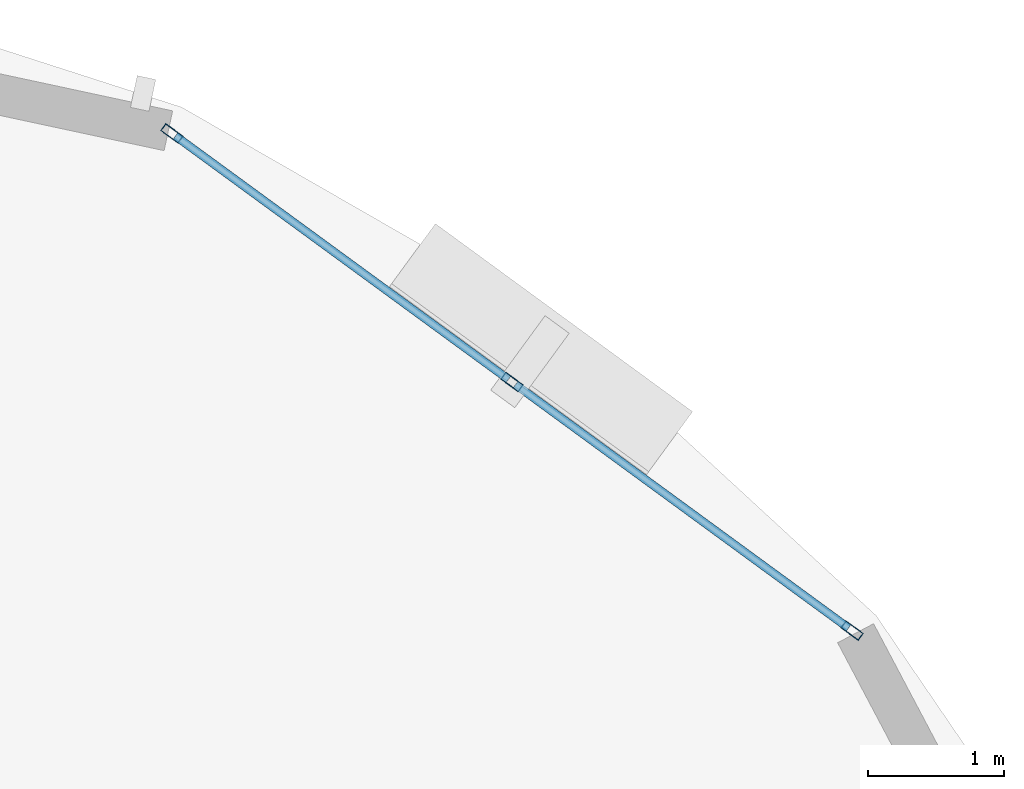
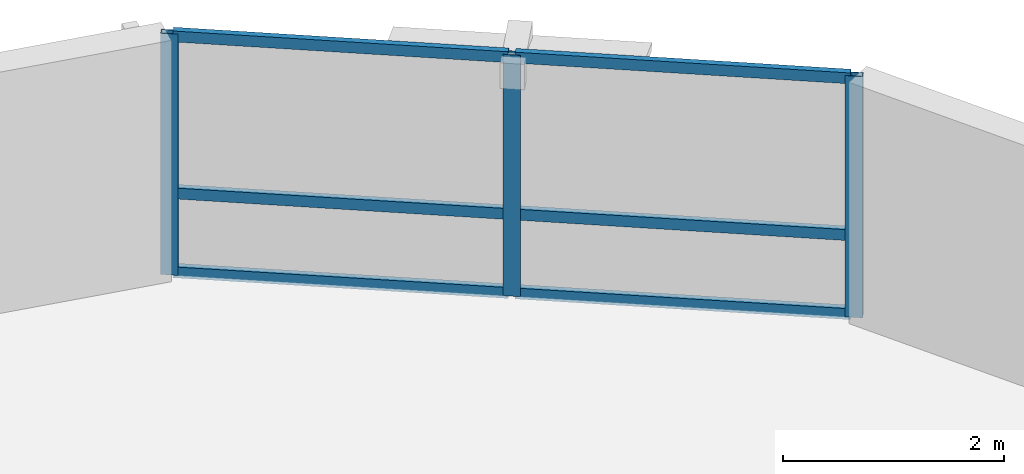
# One storey, part 6 of 12: 9 members, 1 element without a shape of its own.
"""IFC4 building model written with IfcOpenShell, lengths in metres."""

from ifc_helpers import new_model, si_unit, direction, frame, origin, origin_2d, place, context, subcontext, project, spatial, hollow_rectangle, extrude, material, layer, layer_set, material_profile, profile_set, type_object, element, aggregate, save


model = new_model("IFC4")

# Units and contexts
model_context = context("Model", 3, precision=1e-05, world=origin(), true_north=direction((0.0, 1.0)))
body_context = subcontext(model_context, "Body", "Model", "MODEL_VIEW")
ifc_project = project(units=[si_unit("LENGTHUNIT", "METRE"), si_unit("AREAUNIT", "SQUARE_METRE"), si_unit("VOLUMEUNIT", "CUBIC_METRE"), si_unit("PLANEANGLEUNIT", "RADIAN"), si_unit("MASSUNIT", "GRAM", prefix="KILO"), si_unit("THERMODYNAMICTEMPERATUREUNIT", "KELVIN"), si_unit("POWERUNIT", "WATT")], contexts=[model_context])

# Site, building, storey
site_placement = place(None, origin())
site = spatial("IfcSite", under=ifc_project, at=site_placement, CompositionType="ELEMENT")
building_placement = place(site_placement, origin())
building = spatial("IfcBuilding", under=site, at=building_placement, Name="Ocrelia Relay Tower", CompositionType="ELEMENT")
storey_placement = place(building_placement, frame((0.0, 0.0, 202.39990234375)))
storey = spatial("IfcBuildingStorey", under=building, at=storey_placement, Name="L49", CompositionType="ELEMENT", Elevation=202.39990234375)

# Curtain wall, members
ifc_material_1 = material(Name="Aluminium and solar-control low-E glass", Category="aluminium")
ifc_layer = layer(ifc_material_1, 0.179931640625, Name="Aluminium and solar-control low-E glass")
ifc_layer_set = layer_set([ifc_layer], Name="Aluminium and solar-control low-E glass")
curtain_wall_type = type_object("IfcCurtainWallType", Name="CW-SYS-Z3-CLOU", PredefinedType="NOTDEFINED", material=ifc_layer_set)
curtain_wall_placement = place(storey_placement, origin())
curtain_wall = element("IfcCurtainWall", 1, at=curtain_wall_placement, inside=storey, type_object=curtain_wall_type, Name="L49 Elliptical Tower Curtain Wall Bay 01", PredefinedType="NOTDEFINED")
ifc_material_2 = material(Name="Anodised bronze aluminium", Category="aluminium")
ifc_material_profile_1 = material_profile(ifc_material_2, hollow_rectangle(XDim=0.06494140625, YDim=0.159912109375, WallThickness=0.0048828125, at=origin_2d()), Name="CW-MUL-160x65")
ifc_profile_set_1 = profile_set([ifc_material_profile_1], Name="Anodised bronze aluminium")
member_type_1 = type_object("IfcMemberType", Name="CW-SYS-Z3-CLOU-MUL", PredefinedType="MULLION", material=ifc_profile_set_1)
member_1_placement = place(storey_placement, frame((51.674072265625, 41.32470703125, 0.0), z_axis=(0.0, 0.0, 1.0), x_axis=(-0.590180994977, -0.807270953997, 0.0)))
member_1 = element("IfcMember", 2, at=member_1_placement, type_object=member_type_1, Name="CW-Z3 mullion 1", PredefinedType="MULLION", context=body_context, shape_type="SweptSolid", body=[
    extrude(hollow_rectangle(XDim=0.06494140625, YDim=0.159912109375, WallThickness=0.0048828125, at=origin_2d()), origin(), (0.0, 0.0, 1.0), 2.66015625),
])
member_2_placement = place(storey_placement, frame((49.164306640625, 43.159423828125, 0.0), z_axis=(0.0, 0.0, 1.0), x_axis=(-0.590180994977, -0.807270953997, 0.0)))
member_2 = element("IfcMember", 3, at=member_2_placement, type_object=member_type_1, Name="CW-Z3 mullion 2", PredefinedType="MULLION", context=body_context, shape_type="SweptSolid", body=[
    extrude(hollow_rectangle(XDim=0.06494140625, YDim=0.159912109375, WallThickness=0.0048828125, at=origin_2d()), origin(), (0.0, 0.0, 1.0), 2.66015625),
])
member_3_placement = place(storey_placement, frame((46.65478515625, 44.994140625, 0.0), z_axis=(0.0, 0.0, 1.0), x_axis=(-0.590180994977, -0.807270953997, 0.0)))
member_3 = element("IfcMember", 4, at=member_3_placement, type_object=member_type_1, Name="CW-Z3 mullion 3", PredefinedType="MULLION", context=body_context, shape_type="SweptSolid", body=[
    extrude(hollow_rectangle(XDim=0.06494140625, YDim=0.159912109375, WallThickness=0.0048828125, at=origin_2d()), origin(), (0.0, 0.0, 1.0), 2.66015625),
])
ifc_material_profile_2 = material_profile(ifc_material_2, hollow_rectangle(XDim=0.06005859375, YDim=0.1201171875, WallThickness=0.0048828125, at=origin_2d()), Name="CW-TRN-120x60")
ifc_profile_set_2 = profile_set([ifc_material_profile_2], Name="Anodised bronze aluminium")
member_type_2 = type_object("IfcMemberType", Name="CW-SYS-Z3-CLOU-TRN", PredefinedType="USERDEFINED", material=ifc_profile_set_2)
member_4_placement = place(storey_placement, frame((51.64794921875, 41.34375, 0.030029296875), z_axis=(-0.807245618162, 0.590215648689, 0.0), x_axis=(-0.590215648689, -0.807245618162, 0.0)))
member_4 = element("IfcMember", 5, at=member_4_placement, type_object=member_type_2, Name="CW-Z3 transom 1.1", ObjectType="TRANSOM", PredefinedType="USERDEFINED", context=body_context, shape_type="SweptSolid", body=[
    extrude(hollow_rectangle(XDim=0.06005859375, YDim=0.1201171875, WallThickness=0.0048828125, at=origin_2d()), origin(), (0.0, 0.0, 1.0), 3.0439453125),
])
member_5_placement = place(storey_placement, frame((51.64794921875, 41.34375, 0.900146484375), z_axis=(-0.807245618162, 0.590215648689, 0.0), x_axis=(-0.590215648689, -0.807245618162, 0.0)))
member_5 = element("IfcMember", 6, at=member_5_placement, type_object=member_type_2, Name="CW-Z3 transom 1.2", ObjectType="TRANSOM", PredefinedType="USERDEFINED", context=body_context, shape_type="SweptSolid", body=[
    extrude(hollow_rectangle(XDim=0.06005859375, YDim=0.1201171875, WallThickness=0.0048828125, at=origin_2d()), origin(), (0.0, 0.0, 1.0), 3.0439453125),
])
member_6_placement = place(storey_placement, frame((51.64794921875, 41.34375, 2.630126953125), z_axis=(-0.807245618162, 0.590215648689, 0.0), x_axis=(-0.590215648689, -0.807245618162, 0.0)))
member_6 = element("IfcMember", 7, at=member_6_placement, type_object=member_type_2, Name="CW-Z3 transom 1.3", ObjectType="TRANSOM", PredefinedType="USERDEFINED", context=body_context, shape_type="SweptSolid", body=[
    extrude(hollow_rectangle(XDim=0.06005859375, YDim=0.1201171875, WallThickness=0.0048828125, at=origin_2d()), origin(), (0.0, 0.0, 1.0), 3.0439453125),
])
member_7_placement = place(storey_placement, frame((49.13818359375, 43.1787109375, 0.030029296875), z_axis=(-0.807283831033, 0.590163380898, 0.0), x_axis=(-0.590163380898, -0.807283831033, 0.0)))
member_7 = element("IfcMember", 8, at=member_7_placement, type_object=member_type_2, Name="CW-Z3 transom 2.1", ObjectType="TRANSOM", PredefinedType="USERDEFINED", context=body_context, shape_type="SweptSolid", body=[
    extrude(hollow_rectangle(XDim=0.06005859375, YDim=0.1201171875, WallThickness=0.0048828125, at=origin_2d()), origin(), (0.0, 0.0, 1.0), 3.0439453125),
])
member_8_placement = place(storey_placement, frame((49.13818359375, 43.1787109375, 0.900146484375), z_axis=(-0.807283831033, 0.590163380898, 0.0), x_axis=(-0.590163380898, -0.807283831033, 0.0)))
member_8 = element("IfcMember", 9, at=member_8_placement, type_object=member_type_2, Name="CW-Z3 transom 2.2", ObjectType="TRANSOM", PredefinedType="USERDEFINED", context=body_context, shape_type="SweptSolid", body=[
    extrude(hollow_rectangle(XDim=0.06005859375, YDim=0.1201171875, WallThickness=0.0048828125, at=origin_2d()), origin(), (0.0, 0.0, 1.0), 3.0439453125),
])
member_9_placement = place(storey_placement, frame((49.13818359375, 43.1787109375, 2.630126953125), z_axis=(-0.807283831033, 0.590163380898, 0.0), x_axis=(-0.590163380898, -0.807283831033, 0.0)))
member_9 = element("IfcMember", 10, at=member_9_placement, type_object=member_type_2, Name="CW-Z3 transom 2.3", ObjectType="TRANSOM", PredefinedType="USERDEFINED", context=body_context, shape_type="SweptSolid", body=[
    extrude(hollow_rectangle(XDim=0.06005859375, YDim=0.1201171875, WallThickness=0.0048828125, at=origin_2d()), origin(), (0.0, 0.0, 1.0), 3.0439453125),
])
aggregate(curtain_wall, [member_1, member_2, member_3, member_4, member_5, member_6, member_7, member_8, member_9])

save(model, "model.ifc")
